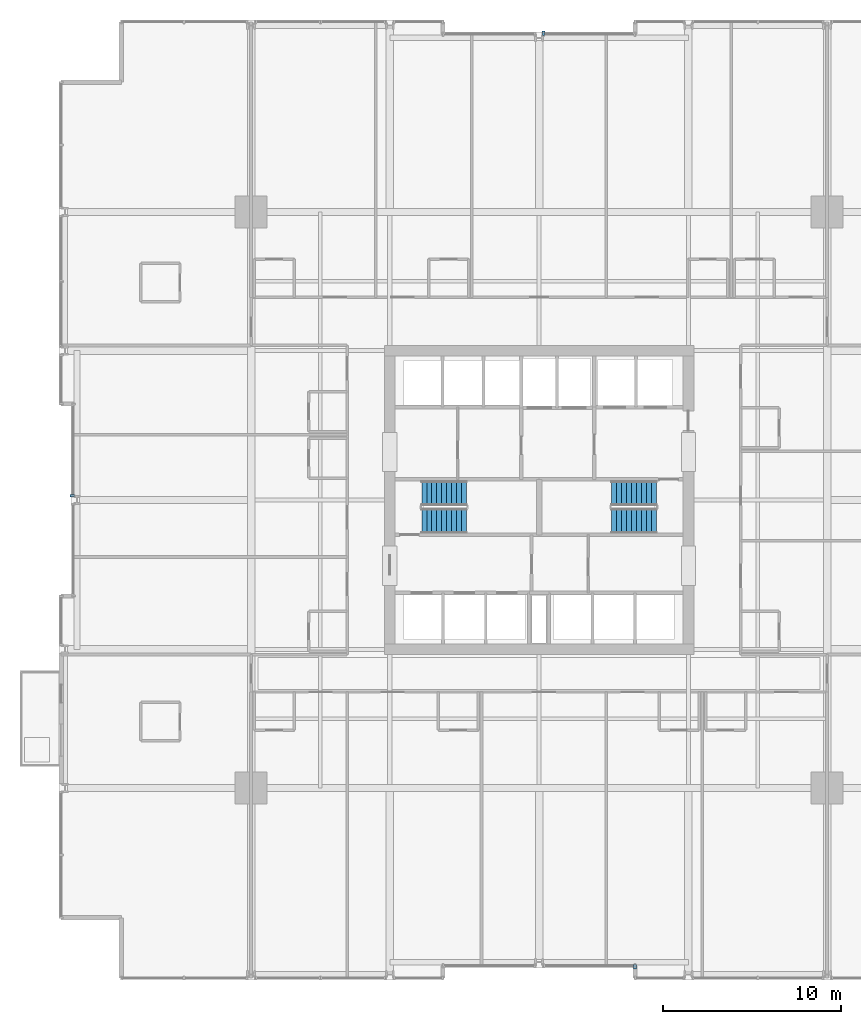
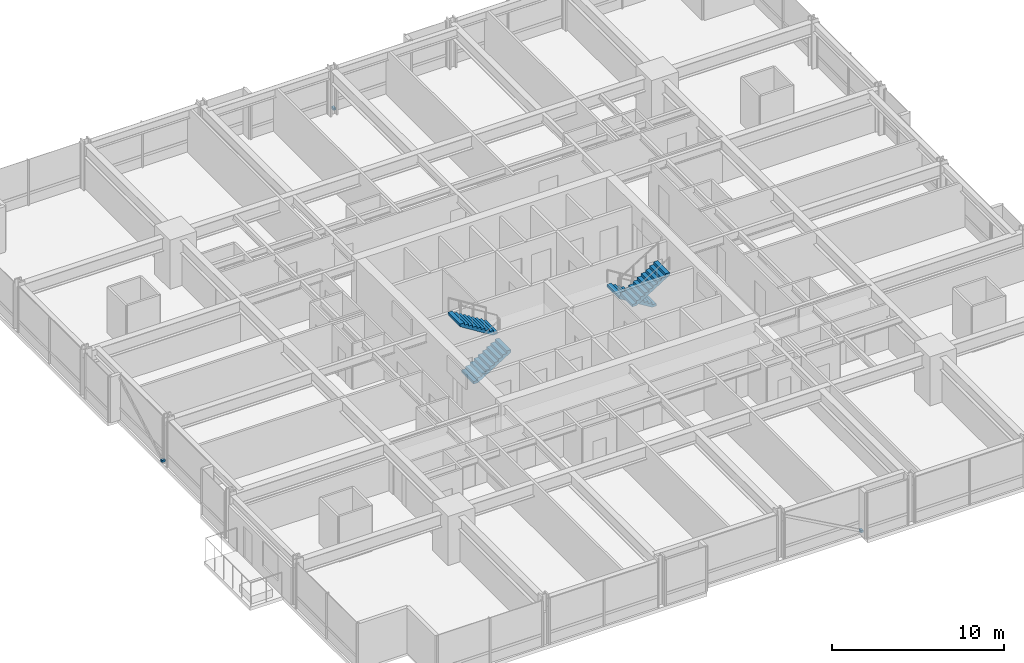
# One storey, part 34 of 38: 4 stair flights, 3 discrete accessories, 2 elements without a shape of their own.
"""IFC4 building model written with IfcOpenShell, lengths in metres."""

from ifc_helpers import new_model, si_unit, direction, frame, origin, origin_2d, place, context, subcontext, project, spatial, polyline, rectangle, outline, extrude, material, type_object, element, aggregate, save


model = new_model("IFC4")

# Units and contexts
model_context = context("Model", 3, precision=1e-05, world=origin(), true_north=direction((0.0, 1.0)))
body_context = subcontext(model_context, "Body", "Model", "MODEL_VIEW")
ifc_project = project(units=[si_unit("LENGTHUNIT", "METRE"), si_unit("AREAUNIT", "SQUARE_METRE"), si_unit("VOLUMEUNIT", "CUBIC_METRE"), si_unit("PLANEANGLEUNIT", "RADIAN"), si_unit("MASSUNIT", "GRAM", prefix="KILO")], contexts=[model_context])

# Site, building, storey
site_placement = place(None, origin())
site = spatial("IfcSite", under=ifc_project, at=site_placement, CompositionType="ELEMENT")
building_placement = place(site_placement, origin())
building = spatial("IfcBuilding", under=site, at=building_placement, Name="Drelvath Grand Hotel", CompositionType="ELEMENT")
storey_placement = place(building_placement, frame((0.0, 0.0, 57.699951171875)))
storey = spatial("IfcBuildingStorey", under=building, at=storey_placement, Name="L13", CompositionType="ELEMENT", Elevation=57.699951171875)

# Stair, stair flights
ifc_material_1 = material(Name="Concrete C40/50", Category="concrete")
stair_type = type_object("IfcStairType", Name="Dogleg Exit Stair W1400-R175.0", PredefinedType="HALF_TURN_STAIR", material=ifc_material_1)
stair_1_placement = place(storey_placement, origin())
stair_1 = element("IfcStair", 1, at=stair_1_placement, inside=storey, type_object=stair_type, Name="L13 Core Exit Stair ST-1", PredefinedType="HALF_TURN_STAIR")
stair_flight_type = type_object("IfcStairFlightType", Name="Concrete Stair Flight W1400-R175.0", PredefinedType="STRAIGHT", material=ifc_material_1)
stair_flight_1_placement = place(storey_placement, frame((-6.60009765625, 25.820068359375, 0.0), z_axis=(0.0, 0.0, 1.0), x_axis=(1.0, 0.0, 0.0)))
stair_flight_1 = element("IfcStairFlight", 2, at=stair_flight_1_placement, type_object=stair_flight_type, Name="ST-1 flight 1", NumberOfRisers=10, NumberOfTreads=9, PredefinedType="STRAIGHT", RiserHeight=0.175, TreadLength=0.28, context=body_context, shape_type="SweptSolid", body=[
    extrude(outline(polyline([(0.0, 0.0), (0.0, 0.175048828125), (0.280029296875, 0.175048828125), (0.280029296875, 0.35009765625), (0.56005859375, 0.35009765625), (0.56005859375, 0.52490234375), (0.840087890625, 0.52490234375), (0.840087890625, 0.699951171875), (1.1201171875, 0.699951171875), (1.1201171875, 0.875), (1.39990234375, 0.875), (1.39990234375, 1.050048828125), (1.679931640625, 1.050048828125), (1.679931640625, 1.22509765625), (1.9599609375, 1.22509765625), (1.9599609375, 1.39990234375), (2.239990234375, 1.39990234375), (2.239990234375, 1.574951171875), (2.52001953125, 1.574951171875), (2.52001953125, 1.75), (2.52001953125, 1.386474609375), (0.3017578125, 0.0), (0.0, 0.0)])), frame((0.0, 0.699951171875, 0.0), z_axis=(0.0, -1.0, 0.0), x_axis=(1.0, 0.0, 0.0)), (0.0, 0.0, 1.0), 1.39990234375),
])
stair_flight_2_placement = place(storey_placement, frame((-4.080078125, 27.3798828125, 1.75), z_axis=(0.0, 0.0, 1.0), x_axis=(-1.0, 0.0, 0.0)))
stair_flight_2 = element("IfcStairFlight", 3, at=stair_flight_2_placement, type_object=stair_flight_type, Name="ST-1 flight 2", NumberOfRisers=10, NumberOfTreads=9, PredefinedType="STRAIGHT", RiserHeight=0.175, TreadLength=0.28, context=body_context, shape_type="SweptSolid", body=[
    extrude(outline(polyline([(0.0, 0.0), (0.0, 0.175048828125), (0.280029296875, 0.175048828125), (0.280029296875, 0.35009765625), (0.56005859375, 0.35009765625), (0.56005859375, 0.52490234375), (0.840087890625, 0.52490234375), (0.840087890625, 0.699951171875), (1.1201171875, 0.699951171875), (1.1201171875, 0.875), (1.39990234375, 0.875), (1.39990234375, 1.050048828125), (1.679931640625, 1.050048828125), (1.679931640625, 1.22509765625), (1.9599609375, 1.22509765625), (1.9599609375, 1.39990234375), (2.239990234375, 1.39990234375), (2.239990234375, 1.574951171875), (2.52001953125, 1.574951171875), (2.52001953125, 1.75), (2.52001953125, 1.386474609375), (0.3017578125, 0.0), (0.0, 0.0)])), frame((0.0, 0.699951171875, 0.0), z_axis=(0.0, -1.0, 0.0), x_axis=(1.0, 0.0, 0.0)), (0.0, 0.0, 1.0), 1.39990234375),
])
aggregate(stair_1, [stair_flight_1, stair_flight_2])

stair_2_placement = place(storey_placement, origin())
stair_2 = element("IfcStair", 4, at=stair_2_placement, inside=storey, type_object=stair_type, Name="L13 Core Exit Stair ST-2", PredefinedType="HALF_TURN_STAIR")
stair_flight_3_placement = place(storey_placement, frame((6.60009765625, 27.3798828125, 0.0), z_axis=(0.0, 0.0, 1.0), x_axis=(-1.0, 0.0, 0.0)))
stair_flight_3 = element("IfcStairFlight", 5, at=stair_flight_3_placement, type_object=stair_flight_type, Name="ST-2 flight 1", NumberOfRisers=10, NumberOfTreads=9, PredefinedType="STRAIGHT", RiserHeight=0.175, TreadLength=0.28, context=body_context, shape_type="SweptSolid", body=[
    extrude(outline(polyline([(0.0, 0.0), (0.0, 0.175048828125), (0.280029296875, 0.175048828125), (0.280029296875, 0.35009765625), (0.56005859375, 0.35009765625), (0.56005859375, 0.52490234375), (0.840087890625, 0.52490234375), (0.840087890625, 0.699951171875), (1.1201171875, 0.699951171875), (1.1201171875, 0.875), (1.39990234375, 0.875), (1.39990234375, 1.050048828125), (1.679931640625, 1.050048828125), (1.679931640625, 1.22509765625), (1.9599609375, 1.22509765625), (1.9599609375, 1.39990234375), (2.239990234375, 1.39990234375), (2.239990234375, 1.574951171875), (2.52001953125, 1.574951171875), (2.52001953125, 1.75), (2.52001953125, 1.386474609375), (0.3017578125, 0.0), (0.0, 0.0)])), frame((0.0, 0.699951171875, 0.0), z_axis=(0.0, -1.0, 0.0), x_axis=(1.0, 0.0, 0.0)), (0.0, 0.0, 1.0), 1.39990234375),
])
stair_flight_4_placement = place(storey_placement, frame((4.080078125, 25.820068359375, 1.75), z_axis=(0.0, 0.0, 1.0), x_axis=(1.0, 0.0, 0.0)))
stair_flight_4 = element("IfcStairFlight", 6, at=stair_flight_4_placement, type_object=stair_flight_type, Name="ST-2 flight 2", NumberOfRisers=10, NumberOfTreads=9, PredefinedType="STRAIGHT", RiserHeight=0.175, TreadLength=0.28, context=body_context, shape_type="SweptSolid", body=[
    extrude(outline(polyline([(0.0, 0.0), (0.0, 0.175048828125), (0.280029296875, 0.175048828125), (0.280029296875, 0.35009765625), (0.56005859375, 0.35009765625), (0.56005859375, 0.52490234375), (0.840087890625, 0.52490234375), (0.840087890625, 0.699951171875), (1.1201171875, 0.699951171875), (1.1201171875, 0.875), (1.39990234375, 0.875), (1.39990234375, 1.050048828125), (1.679931640625, 1.050048828125), (1.679931640625, 1.22509765625), (1.9599609375, 1.22509765625), (1.9599609375, 1.39990234375), (2.239990234375, 1.39990234375), (2.239990234375, 1.574951171875), (2.52001953125, 1.574951171875), (2.52001953125, 1.75), (2.52001953125, 1.386474609375), (0.3017578125, 0.0), (0.0, 0.0)])), frame((0.0, 0.699951171875, 0.0), z_axis=(0.0, -1.0, 0.0), x_axis=(1.0, 0.0, 0.0)), (0.0, 0.0, 1.0), 1.39990234375),
])
aggregate(stair_2, [stair_flight_3, stair_flight_4])

# Discrete accessories
ifc_material_2 = material(Name="Stainless Steel Grade 316", Category="steel")
discrete_accessory_type = type_object("IfcDiscreteAccessoryType", Name="Curtain Wall Fin Mounting Bracket Cleat", PredefinedType="BRACKET", material=ifc_material_2)
for number, where, z_axis, x_axis, name in (
    (7, (-26.260009765625, 27.240966796875, 0.10009765625), (0.0, 0.0, 1.0), (0.0, 1.0, 0.0), "L13 Fin Mounting Bracket CW02-L13-WM2-1"),
    (8, (0.240966796875, 53.260009765625, 0.10009765625), (0.0, 0.0, 1.0), (1.0, 0.0, 0.0), "L13 Fin Mounting Bracket CW02-L13-NM2-1"),
    (9, (5.39990234375, 0.739990234375, 0.10009765625), (0.0, 0.0, 1.0), (-1.0, 0.0, 0.0), "L13 Fin Mounting Bracket CW02-L13-SM2-1"),
):
    element("IfcDiscreteAccessory", number, at=place(storey_placement, frame(where, z_axis=z_axis, x_axis=x_axis)), inside=storey, type_object=discrete_accessory_type, Name=name, PredefinedType="BRACKET", context=body_context, shape_type="SweptSolid", body=[
        extrude(rectangle(XDim=0.159912109375, YDim=0.239990234375, at=origin_2d()), origin(), (0.0, 0.0, 1.0), 0.159912109375),
    ])

save(model, "model.ifc")
